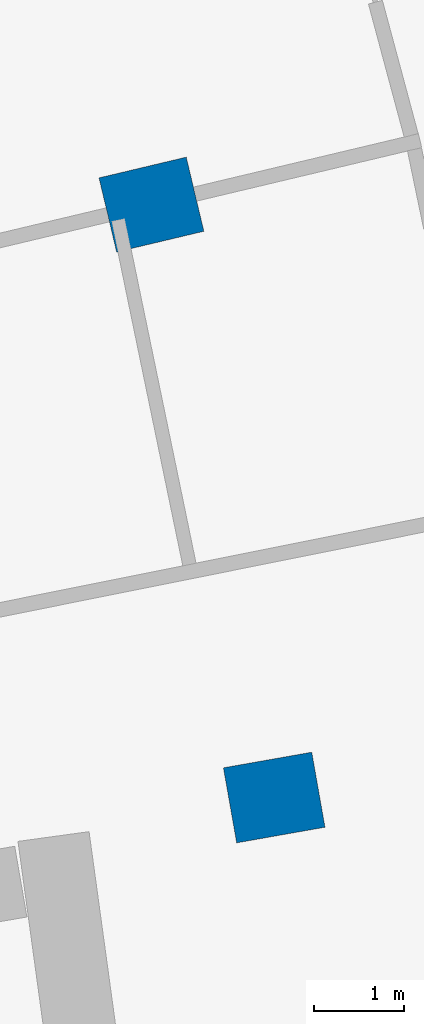
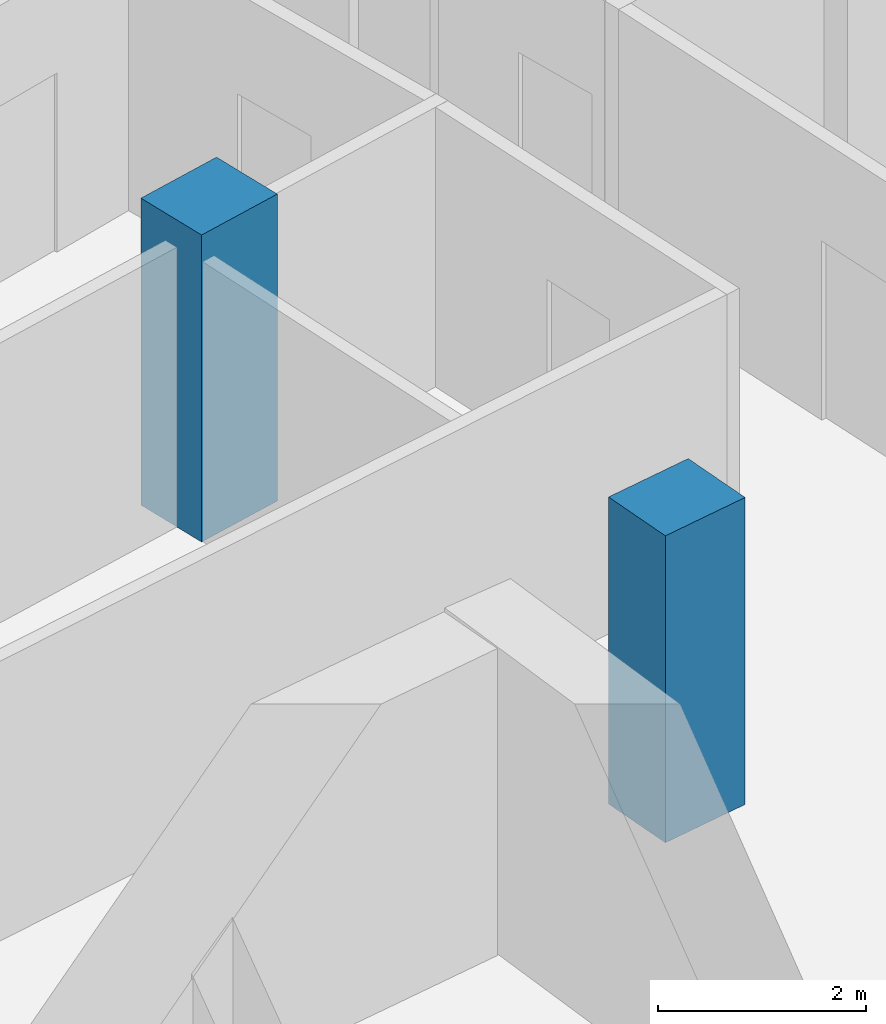
# One storey, part 8 of 25: 2 columns.
"""IFC4 building model written with IfcOpenShell, lengths in metres."""

import ifcopenshell
import ifcopenshell.guid

model = None  # the IFC model being written
_history = None  # IfcOwnerHistory: only IFC2X3 demands one
_inside = {}  # id of a spatial element -> (the spatial element, [elements in it])
_under = {}  # id of a project, library or spatial element -> (it, [spatial elements below it])
_declared = {}  # id of a project -> (the project, [libraries it declares])
_typed = {}  # id of a type object -> (the type object, [elements of that type])
_made_of = {}  # id of a material, layer set ... -> (it, [elements and type objects made of it])


def new_model(schema):
    """Start an empty IFC model of exactly this schema.

    Asked for "IFC4X3", IfcOpenShell would pick the latest addendum, in which some entities
    have other attributes; the version numbers below select the first issue.
    IFC2X3 requires an IfcOwnerHistory on every rooted entity: one is made here for all.
    """
    global model, _history
    if schema == "IFC4X3":
        model = ifcopenshell.file(schema_version=(4, 3, 0, 0))
    else:
        model = ifcopenshell.file(schema=schema)
    _inside.clear()
    _under.clear()
    _declared.clear()
    _typed.clear()
    _made_of.clear()
    _history = None
    if model.schema == "IFC2X3":
        org = make("IfcOrganization", Name="unknown")
        user = make(
            "IfcPersonAndOrganization",
            ThePerson=make("IfcPerson", FamilyName="unknown"),
            TheOrganization=org,
        )
        app = make(
            "IfcApplication",
            ApplicationDeveloper=org,
            Version="unknown",
            ApplicationFullName="unknown",
            ApplicationIdentifier="unknown",
        )
        _history = make(
            "IfcOwnerHistory",
            OwningUser=user,
            OwningApplication=app,
            ChangeAction="ADDED",
            CreationDate=0,
        )
    return model


def make(cls, **values):
    """One entity of the class cls with the attributes given. An attribute that is None is left unset."""
    return model.create_entity(
        cls, **{name: value for name, value in values.items() if value is not None}
    )


def rooted(cls, **values):
    """An entity with a GlobalId (a new one), such as an element, a storey or a relation."""
    return make(cls, GlobalId=ifcopenshell.guid.new(), OwnerHistory=_history, **values)


def si_unit(unit_type, name, prefix=None):
    """IfcSIUnit, for example si_unit("LENGTHUNIT", "METRE", prefix="MILLI")."""
    return make("IfcSIUnit", UnitType=unit_type, Prefix=prefix, Name=name)


def assignment(units):
    """IfcUnitAssignment: the units of a project."""
    return None if units is None else make("IfcUnitAssignment", Units=units)


def point(xyz):
    """IfcCartesianPoint."""
    return None if xyz is None else make("IfcCartesianPoint", Coordinates=xyz)


def direction(xyz):
    """IfcDirection."""
    return None if xyz is None else make("IfcDirection", DirectionRatios=xyz)


def frame(location, z_axis=None, x_axis=None):
    """IfcAxis2Placement3D, a coordinate frame: its origin and axes. An axis left out is left unset."""
    return make(
        "IfcAxis2Placement3D",
        Location=point(location),
        Axis=direction(z_axis),
        RefDirection=direction(x_axis),
    )


def frame_2d(location, x_axis=None):
    """IfcAxis2Placement2D, a coordinate frame in the plane: its origin and x axis."""
    return make(
        "IfcAxis2Placement2D", Location=point(location), RefDirection=direction(x_axis)
    )


def origin():
    """The frame at (0, 0, 0) with its axes left unset."""
    return frame((0.0, 0.0, 0.0))


def origin_2d():
    """The frame at (0, 0) in the plane with its x axis left unset."""
    return frame_2d((0.0, 0.0))


def place(relative_to, where):
    """IfcLocalPlacement: puts the frame where relative to a parent placement (None: the world)."""
    return make(
        "IfcLocalPlacement", PlacementRelTo=relative_to, RelativePlacement=where
    )


def context(
    kind, dimensions, precision=None, world=None, true_north=None, identifier=None
):
    """IfcGeometricRepresentationContext, for example the 3D "Model" context."""
    return make(
        "IfcGeometricRepresentationContext",
        ContextIdentifier=identifier,
        ContextType=kind,
        CoordinateSpaceDimension=dimensions,
        Precision=precision,
        WorldCoordinateSystem=world,
        TrueNorth=true_north,
    )


def subcontext(parent, identifier, kind, view, scale=None):
    """IfcGeometricRepresentationSubContext, for example "Body" below "Model"."""
    return make(
        "IfcGeometricRepresentationSubContext",
        ContextIdentifier=identifier,
        ContextType=kind,
        ParentContext=parent,
        TargetScale=scale,
        TargetView=view,
    )


def project(units=None, contexts=None):
    """IfcProject with its units and contexts."""
    return rooted(
        "IfcProject",
        Name="project",
        RepresentationContexts=contexts,
        UnitsInContext=assignment(units),
    )


def spatial(cls, under=None, at=None, **own):
    """A site, building, storey or space (cls), placed at a placement, below another one or the project."""
    s = rooted(cls, ObjectPlacement=at, **own)
    if under is not None:
        _under.setdefault(under.id(), (under, []))[1].append(s)
    return s


def profile(cls, at=None, kind="AREA", **sizes):
    """A parametric profile (cls). Its sizes go by their IFC names, for example OverallWidth=200.0."""
    return make(cls, ProfileType=kind, Position=at, **sizes)


def rectangle(**sizes):
    """IfcRectangleProfileDef."""
    return profile("IfcRectangleProfileDef", **sizes)


def extrude(swept, where, along, depth):
    """IfcExtrudedAreaSolid: the profile swept, set in the frame where, extruded along a direction by depth."""
    return make(
        "IfcExtrudedAreaSolid",
        SweptArea=swept,
        Position=where,
        ExtrudedDirection=direction(along),
        Depth=depth,
    )


def shape(context_of_items, identifier, shape_type, items):
    """IfcShapeRepresentation: the items that make up one representation, for example the "Body"."""
    return make(
        "IfcShapeRepresentation",
        ContextOfItems=context_of_items,
        RepresentationIdentifier=identifier,
        RepresentationType=shape_type,
        Items=items,
    )


def material(Name=None, Category=None):
    """IfcMaterial."""
    return make("IfcMaterial", Name=Name, Category=Category)


def material_profile(
    of_material, cross_section, Name=None, Category=None, Priority=None
):
    """IfcMaterialProfile: a cross section and its material."""
    return make(
        "IfcMaterialProfile",
        Name=Name,
        Material=of_material,
        Profile=cross_section,
        Priority=Priority,
        Category=Category,
    )


def profile_set(profiles, Name=None, composite=None):
    """IfcMaterialProfileSet."""
    return make(
        "IfcMaterialProfileSet",
        Name=Name,
        MaterialProfiles=profiles,
        CompositeProfile=composite,
    )


def made_of(thing, what):
    """Note that an element or type object is made of a material, layer set ...; save() writes the relation."""
    if what is not None:
        _made_of.setdefault(what.id(), (what, []))[1].append(thing)
    return thing


def type_object(cls, material=None, **own):
    """A type object (cls), such as IfcWallType, which elements share."""
    return made_of(rooted(cls, **own), material)


def element(
    cls,
    number,
    at=None,
    inside=None,
    cuts=None,
    type_object=None,
    material=None,
    context=None,
    identifier="Body",
    shape_type=None,
    held_by="IfcProductDefinitionShape",
    body=None,
    shapes=None,
    **own,
):
    """One element of the class cls, such as IfcWall. Its Tag is "e" and its number.

    at: its placement. inside: the storey or other place that contains it. cuts: it is an
    opening in that element (IfcRelVoidsElement). A single representation is given by context,
    identifier, shape_type and body (its items); several are given by shapes. held_by: the class
    of the entity that holds the representations. save() writes the other relations.
    """
    e = rooted(cls, Tag="e%d" % number, ObjectPlacement=at, **own)
    if body is not None:
        shapes = [shape(context, identifier, shape_type, body)]
    if shapes is not None:
        e.Representation = make(held_by, Representations=shapes)
    if inside is not None:
        _inside.setdefault(inside.id(), (inside, []))[1].append(e)
    if cuts is not None:
        rooted(
            "IfcRelVoidsElement", RelatingBuildingElement=cuts, RelatedOpeningElement=e
        )
    if type_object is not None:
        _typed.setdefault(type_object.id(), (type_object, []))[1].append(e)
    return made_of(e, material)


def aggregate(whole, parts):
    """IfcRelAggregates: a whole, such as a stair, and the parts it consists of."""
    return rooted("IfcRelAggregates", RelatingObject=whole, RelatedObjects=parts)


def save(model, path):
    """Write the relations noted so far, then the file.

    IfcRelAggregates (storeys below a building ...), IfcRelContainedInSpatialStructure (elements
    in a storey), IfcRelDefinesByType, IfcRelAssociatesMaterial and IfcRelDeclares: one each for
    every whole, place, type object, material and project.
    """
    for whole, parts in _under.values():
        aggregate(whole, parts)
    for where, things in _inside.values():
        rooted(
            "IfcRelContainedInSpatialStructure",
            RelatedElements=things,
            RelatingStructure=where,
        )
    for kind, things in _typed.values():
        rooted("IfcRelDefinesByType", RelatedObjects=things, RelatingType=kind)
    for what, things in _made_of.values():
        rooted("IfcRelAssociatesMaterial", RelatedObjects=things, RelatingMaterial=what)
    for by, libraries in _declared.values():
        rooted("IfcRelDeclares", RelatingContext=by, RelatedDefinitions=libraries)
    model.write(path)


model = new_model("IFC4")

# Units and contexts
model_context = context("Model", 3, precision=1e-05, world=origin(), true_north=direction((0.0, 1.0)))
body_context = subcontext(model_context, "Body", "Model", "MODEL_VIEW")
ifc_project = project(units=[si_unit("LENGTHUNIT", "METRE"), si_unit("AREAUNIT", "SQUARE_METRE"), si_unit("VOLUMEUNIT", "CUBIC_METRE"), si_unit("PLANEANGLEUNIT", "RADIAN"), si_unit("MASSUNIT", "GRAM", prefix="KILO")], contexts=[model_context])

# Site, building, storey
site_placement = place(None, origin())
site = spatial("IfcSite", under=ifc_project, at=site_placement, CompositionType="ELEMENT")
building_placement = place(site_placement, origin())
building = spatial("IfcBuilding", under=site, at=building_placement, Name="Alderwake Tower", CompositionType="ELEMENT")
storey_placement = place(building_placement, frame((0.0, 0.0, 93.199951171875)))
storey = spatial("IfcBuildingStorey", under=building, at=storey_placement, Name="L22", CompositionType="ELEMENT", Elevation=93.199951171875)

# Columns
ifc_material = material(Name="Concrete C70/85", Category="concrete")
ifc_material_profile = material_profile(ifc_material, rectangle(XDim=0.85009765625, YDim=1.0, at=origin_2d()), Name="RC 1000X850")
ifc_profile_set = profile_set([ifc_material_profile], Name="Concrete C70/85")
column_type = type_object("IfcColumnType", Name="Interior column Z2", PredefinedType="COLUMN", material=ifc_profile_set)
for number, where, z_axis, x_axis, name in (
    (1, (34.03125, 81.16162109375, 0.0), (0.0, 0.0, 1.0), (-0.174108800747, 0.984726421654, 0.0), "Column R10-C2"),
    (2, (32.661865234375, 87.775390625, 0.0), (0.0, 0.0, 1.0), (-0.231221547198, 0.972901123502, 0.0), "Column R11-C2"),
):
    element("IfcColumn", number, at=place(storey_placement, frame(where, z_axis=z_axis, x_axis=x_axis)), inside=storey, type_object=column_type, Name=name, PredefinedType="COLUMN", context=body_context, shape_type="SweptSolid", body=[
        extrude(rectangle(XDim=0.85009765625, YDim=1.0, at=origin_2d()), origin(), (0.0, 0.0, 1.0), 3.60009765625),
    ])

save(model, "model.ifc")
